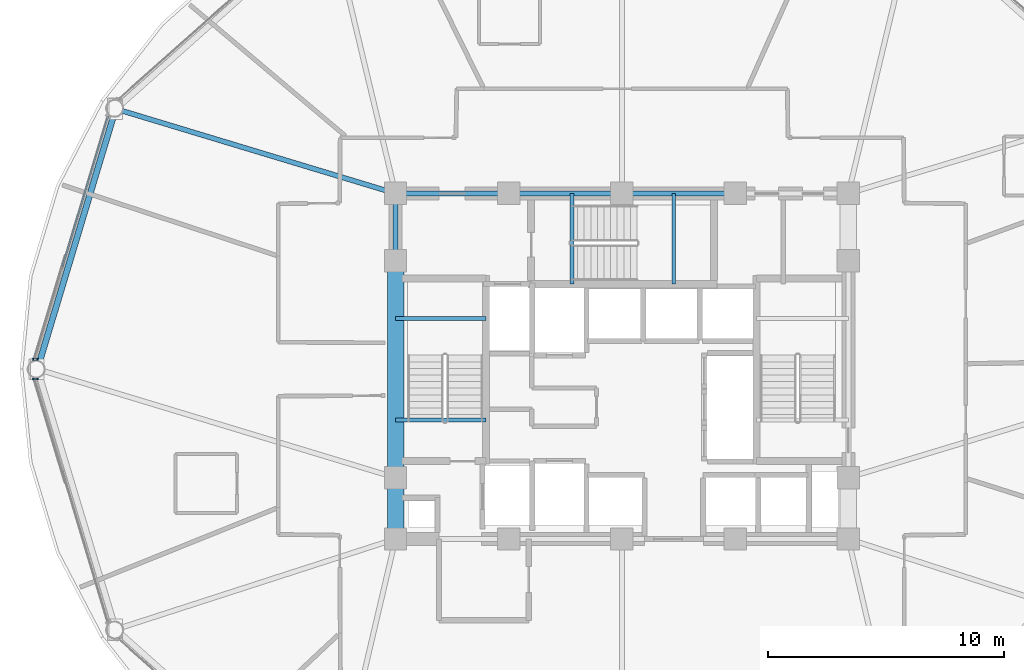
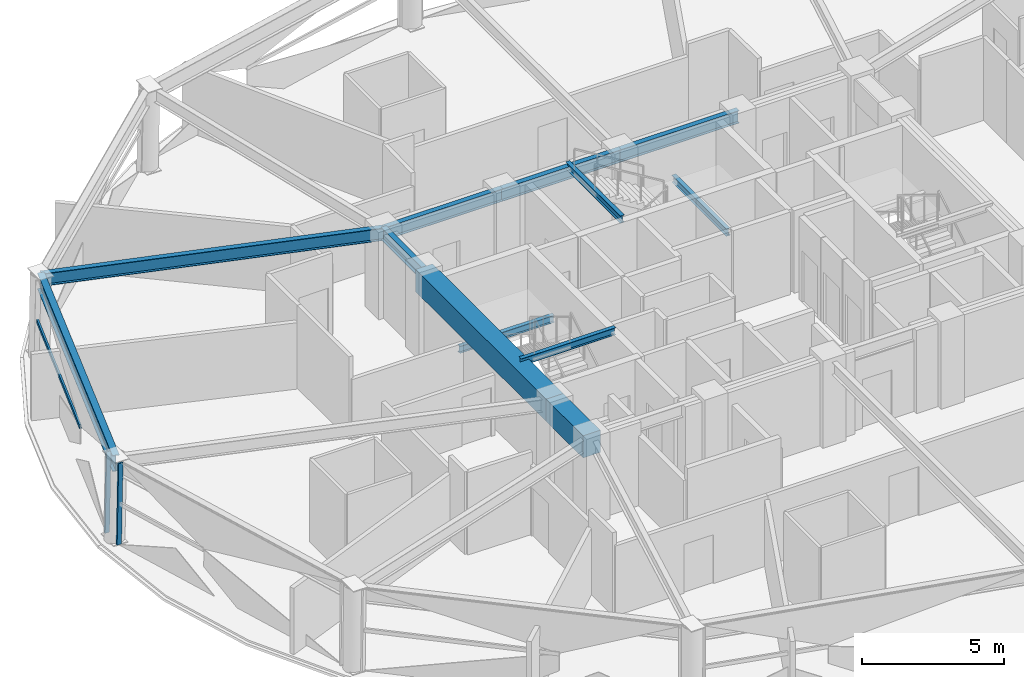
# One storey, part 4 of 16: 12 beams, 3 members, 2 elements without a shape of their own.
"""IFC4 building model written with IfcOpenShell, lengths in metres."""

from ifc_helpers import new_model, si_unit, direction, frame, origin, origin_2d, place, context, subcontext, project, spatial, rectangle, hollow_rectangle, i_section, extrude, material, layer, layer_set, material_profile, profile_set, type_object, element, aggregate, save


model = new_model("IFC4")

# Units and contexts
model_context = context("Model", 3, precision=1e-05, world=origin(), true_north=direction((0.0, 1.0)))
body_context = subcontext(model_context, "Body", "Model", "MODEL_VIEW")
ifc_project = project(units=[si_unit("LENGTHUNIT", "METRE"), si_unit("AREAUNIT", "SQUARE_METRE"), si_unit("VOLUMEUNIT", "CUBIC_METRE"), si_unit("PLANEANGLEUNIT", "RADIAN"), si_unit("MASSUNIT", "GRAM", prefix="KILO")], contexts=[model_context])

# Site, building, storey
site_placement = place(None, origin())
site = spatial("IfcSite", under=ifc_project, at=site_placement, CompositionType="ELEMENT")
building_placement = place(site_placement, origin())
building = spatial("IfcBuilding", under=site, at=building_placement, Name="Vantalir Tower", CompositionType="ELEMENT")
storey_placement = place(building_placement, frame((0.0, 0.0, 145.949951171875)))
storey = spatial("IfcBuildingStorey", under=building, at=storey_placement, Name="L36", CompositionType="ELEMENT", Elevation=145.949951171875)

# Beams
ifc_material_1 = material(Name="Concrete C60/75", Category="concrete")
ifc_material_profile_1 = material_profile(ifc_material_1, rectangle(XDim=0.699951171875, YDim=0.949951171875, at=origin_2d()), Name="Concrete C60/75")
ifc_profile_set_1 = profile_set([ifc_material_profile_1], Name="Concrete C60/75")
beam_type_1 = type_object("IfcBeamType", Name="BM-CB-700x950", PredefinedType="USERDEFINED", material=ifc_profile_set_1)
beam_1_placement = place(storey_placement, frame((21.89990234375, 29.60009765625, 3.094970703125), z_axis=(0.0, -1.0, 0.0), x_axis=(1.0, 0.0, 0.0)))
element("IfcBeam", 1, at=beam_1_placement, inside=storey, type_object=beam_type_1, Name="L36 Core Coupling Girder 13", ObjectType="GIRDER", PredefinedType="USERDEFINED", context=body_context, shape_type="SweptSolid", body=[
    extrude(rectangle(XDim=0.699951171875, YDim=0.949951171875, at=origin_2d()), origin(), (0.0, 0.0, 1.0), 9.2001953125),
])
beam_2_placement = place(storey_placement, frame((21.89990234375, 20.39990234375, 3.094970703125), z_axis=(0.0, -1.0, 0.0), x_axis=(1.0, 0.0, 0.0)))
element("IfcBeam", 2, at=beam_2_placement, inside=storey, type_object=beam_type_1, Name="L36 Core Coupling Girder 14", ObjectType="GIRDER", PredefinedType="USERDEFINED", context=body_context, shape_type="SweptSolid", body=[
    extrude(rectangle(XDim=0.699951171875, YDim=0.949951171875, at=origin_2d()), origin(), (0.0, 0.0, 1.0), 2.599853515625),
])
ifc_material_2 = material(Name="Steel S355", Category="steel")
ifc_material_profile_2 = material_profile(ifc_material_2, i_section(OverallWidth=0.166015625, OverallDepth=0.306884765625, WebThickness=0.006591796875, FlangeThickness=0.01171875, at=origin_2d()), Name="Steel S355")
ifc_profile_set_2 = profile_set([ifc_material_profile_2], Name="Steel S355")
beam_type_2 = type_object("IfcBeamType", Name="BM-JS-305x165", PredefinedType="JOIST", material=ifc_profile_set_2)
for number, where, z_axis, x_axis, name in (
    (3, (21.89990234375, 22.8349609375, 3.595947265625), (1.0, 0.0, 0.0), (0.0, 1.0, 0.0), "L37 Stair ST1 Well Nosing Trimmer Beam"),
    (4, (21.89990234375, 27.14501953125, 1.52197265625), (1.0, 0.0, 0.0), (0.0, 1.0, 0.0), "L36 Stair ST1 Half-Landing Support Beam"),
):
    element("IfcBeam", number, at=place(storey_placement, frame(where, z_axis=z_axis, x_axis=x_axis)), inside=storey, type_object=beam_type_2, Name=name, PredefinedType="JOIST", context=body_context, shape_type="SweptSolid", body=[
        extrude(i_section(OverallWidth=0.166015625, OverallDepth=0.306884765625, WebThickness=0.006591796875, FlangeThickness=0.01171875, at=origin_2d()), origin(), (0.0, 0.0, 1.0), 3.840087890625),
    ])
for number, where, z_axis, x_axis, name in (
    (5, (29.385009765625, 28.60009765625, 3.595947265625), (0.0, 1.0, 0.0), (-1.0, 0.0, 0.0), "L37 Stair ST3 Well Nosing Trimmer Beam"),
    (6, (33.695068359375, 28.60009765625, 1.52197265625), (0.0, 1.0, 0.0), (-1.0, 0.0, 0.0), "L36 Stair ST3 Half-Landing Support Beam"),
):
    element("IfcBeam", number, at=place(storey_placement, frame(where, z_axis=z_axis, x_axis=x_axis)), inside=storey, type_object=beam_type_2, Name=name, PredefinedType="JOIST", context=body_context, shape_type="SweptSolid", body=[
        extrude(i_section(OverallWidth=0.166015625, OverallDepth=0.306884765625, WebThickness=0.006591796875, FlangeThickness=0.01171875, at=origin_2d()), origin(), (0.0, 0.0, 1.0), 3.849853515625),
    ])
ifc_material_profile_3 = material_profile(ifc_material_2, i_section(OverallWidth=0.2109375, OverallDepth=0.5390625, WebThickness=0.01171875, FlangeThickness=0.018798828125, at=origin_2d()), Name="Steel S355")
ifc_profile_set_3 = profile_set([ifc_material_profile_3], Name="Steel S355")
beam_type_3 = type_object("IfcBeamType", Name="BM-RB-533x210", PredefinedType="BEAM", material=ifc_profile_set_3)
for number, where, z_axis, x_axis, name in (
    (7, (36.300048828125, 32.449951171875, 3.301025390625), (-1.0, 0.0, 0.0), (0.0, -1.0, 0.0), "L36 Core Coupling Girder 09"),
    (8, (31.5, 32.449951171875, 3.301025390625), (-1.0, 0.0, 0.0), (0.0, -1.0, 0.0), "L36 Core Coupling Girder 10"),
    (9, (26.699951171875, 32.449951171875, 3.301025390625), (-1.0, 0.0, 0.0), (0.0, -1.0, 0.0), "L36 Core Coupling Girder 11"),
):
    element("IfcBeam", number, at=place(storey_placement, frame(where, z_axis=z_axis, x_axis=x_axis)), inside=storey, type_object=beam_type_3, Name=name, PredefinedType="BEAM", context=body_context, shape_type="SweptSolid", body=[
        extrude(i_section(OverallWidth=0.2109375, OverallDepth=0.5390625, WebThickness=0.01171875, FlangeThickness=0.018798828125, at=origin_2d()), origin(), (0.0, 0.0, 1.0), 4.800048828125),
    ])
beam_3_placement = place(storey_placement, frame((21.89990234375, 32.449951171875, 3.301025390625), z_axis=(0.0, -1.0, 0.0), x_axis=(1.0, 0.0, 0.0)))
element("IfcBeam", 10, at=beam_3_placement, inside=storey, type_object=beam_type_3, Name="L36 Core Coupling Girder 12", PredefinedType="BEAM", context=body_context, shape_type="SweptSolid", body=[
    extrude(i_section(OverallWidth=0.2109375, OverallDepth=0.5390625, WebThickness=0.01171875, FlangeThickness=0.018798828125, at=origin_2d()), origin(), (0.0, 0.0, 1.0), 2.849853515625),
])
beam_4_placement = place(storey_placement, frame((10.037109375, 36.033935546875, 3.301025390625), z_axis=(0.957265983096, -0.289208986043, 0.0), x_axis=(0.289208986043, 0.957265983096, 0.0)))
element("IfcBeam", 11, at=beam_4_placement, inside=storey, type_object=beam_type_3, Name="L36 Radial Floor Beam 06", PredefinedType="BEAM", context=body_context, shape_type="SweptSolid", body=[
    extrude(i_section(OverallWidth=0.2109375, OverallDepth=0.5390625, WebThickness=0.01171875, FlangeThickness=0.018798828125, at=origin_2d()), origin(), (0.0, 0.0, 1.0), 12.392333984375),
])
ifc_material_3 = material(Name="Steel S460", Category="steel")
ifc_material_profile_4 = material_profile(ifc_material_3, i_section(OverallWidth=0.256103515625, OverallDepth=0.693115234375, WebThickness=0.014404296875, FlangeThickness=0.023681640625, at=origin_2d()), Name="Steel S460")
ifc_profile_set_4 = profile_set([ifc_material_profile_4], Name="Steel S460")
beam_type_4 = type_object("IfcBeamType", Name="BM-RG-686x254", PredefinedType="USERDEFINED", material=ifc_profile_set_4)
beam_5_placement = place(storey_placement, frame((10.037109375, 36.033935546875, 3.22412109375), z_axis=(-0.288135047515, -0.957589783986, 0.0), x_axis=(0.957589783986, -0.288135047515, 0.0)))
element("IfcBeam", 12, at=beam_5_placement, inside=storey, type_object=beam_type_4, Name="L36 Circumferential Ring Girder 06", ObjectType="GIRDER", PredefinedType="USERDEFINED", context=body_context, shape_type="SweptSolid", body=[
    extrude(i_section(OverallWidth=0.256103515625, OverallDepth=0.693115234375, WebThickness=0.014404296875, FlangeThickness=0.023681640625, at=origin_2d()), origin(), (0.0, 0.0, 1.0), 11.522705078125),
])

# Curtain wall, member
ifc_material_4 = material(Name="Champagne-silver PVDF aluminium and double-silver Low-E glass", Category="aluminium")
ifc_layer = layer(ifc_material_4, 0.199951171875)
ifc_layer_set = layer_set([ifc_layer], Name="Champagne-silver PVDF aluminium and double-silver Low-E glass")
curtain_wall_type = type_object("IfcCurtainWallType", Name="CW-DIAMOND-Z2", PredefinedType="USERDEFINED", material=ifc_layer_set)
curtain_wall_1_placement = place(storey_placement, origin())
curtain_wall_1 = element("IfcCurtainWall", 13, at=curtain_wall_1_placement, inside=storey, type_object=curtain_wall_type, Name="L36 Quilted Pyramid-Diamond Curtain Wall S06", ObjectType="UNITISED CURTAIN WALL", PredefinedType="USERDEFINED")
ifc_material_5 = material(Name="Champagne-silver PVDF aluminium 6063-T6", Category="aluminium")
ifc_material_profile_5 = material_profile(ifc_material_5, hollow_rectangle(XDim=0.074951171875, YDim=0.179931640625, WallThickness=0.00390625, at=origin_2d()), Name="Champagne-silver PVDF aluminium 6063-T6")
ifc_profile_set_5 = profile_set([ifc_material_profile_5], Name="Champagne-silver PVDF aluminium 6063-T6")
member_type_1 = type_object("IfcMemberType", Name="CWM-180x75", PredefinedType="MULLION", material=ifc_profile_set_5)
member_1_placement = place(storey_placement, frame((6.592041015625, 25.4208984375, 0.045166015625), z_axis=(0.017816730913, 0.0, 0.999841269452), x_axis=(0.0, 1.0, 0.0)))
member_1 = element("IfcMember", 14, at=member_1_placement, type_object=member_type_1, Name="CW-L36-S06 Mullion 2", PredefinedType="MULLION", context=body_context, shape_type="SweptSolid", body=[
    extrude(hollow_rectangle(XDim=0.074951171875, YDim=0.179931640625, WallThickness=0.00390625, at=origin_2d()), origin(), (0.0, 0.0, 1.0), 3.48046875),
])

curtain_wall_2_placement = place(storey_placement, origin())
curtain_wall_2 = element("IfcCurtainWall", 15, at=curtain_wall_2_placement, inside=storey, type_object=curtain_wall_type, Name="L36 Quilted Pyramid-Diamond Curtain Wall S07", ObjectType="UNITISED CURTAIN WALL", PredefinedType="USERDEFINED")
member_2_placement = place(storey_placement, frame((6.592041015625, 24.5791015625, 0.045166015625), z_axis=(0.017816730913, 0.0, 0.999841269452), x_axis=(0.0, 1.0, 0.0)))
member_2 = element("IfcMember", 16, at=member_2_placement, type_object=member_type_1, Name="CW-L36-S07 Mullion 1", PredefinedType="MULLION", context=body_context, shape_type="SweptSolid", body=[
    extrude(hollow_rectangle(XDim=0.074951171875, YDim=0.179931640625, WallThickness=0.00390625, at=origin_2d()), origin(), (0.0, 0.0, 1.0), 3.48046875),
])
aggregate(curtain_wall_2, [member_2])

# Member
ifc_material_profile_6 = material_profile(ifc_material_5, hollow_rectangle(XDim=0.074951171875, YDim=0.159912109375, WallThickness=0.00390625, at=origin_2d()), Name="Champagne-silver PVDF aluminium 6063-T6")
ifc_profile_set_6 = profile_set([ifc_material_profile_6], Name="Champagne-silver PVDF aluminium 6063-T6")
member_type_2 = type_object("IfcMemberType", Name="CWT-160x75", PredefinedType="USERDEFINED", material=ifc_profile_set_6)
member_3_placement = place(storey_placement, frame((9.718994140625, 35.721923828125, 1.78515625), z_axis=(-0.291273746813, -0.956639746413, 0.0), x_axis=(0.956639746413, -0.291273746813, 0.0)))
member_3 = element("IfcMember", 17, at=member_3_placement, type_object=member_type_2, Name="CW-L36-S06 Pyramid Fold Ridge Transom", ObjectType="TRANSOM", PredefinedType="USERDEFINED", context=body_context, shape_type="SweptSolid", body=[
    extrude(hollow_rectangle(XDim=0.074951171875, YDim=0.159912109375, WallThickness=0.00390625, at=origin_2d()), origin(), (0.0, 0.0, 1.0), 6.671142578125),
])

aggregate(curtain_wall_1, [member_1, member_3])

save(model, "model.ifc")
